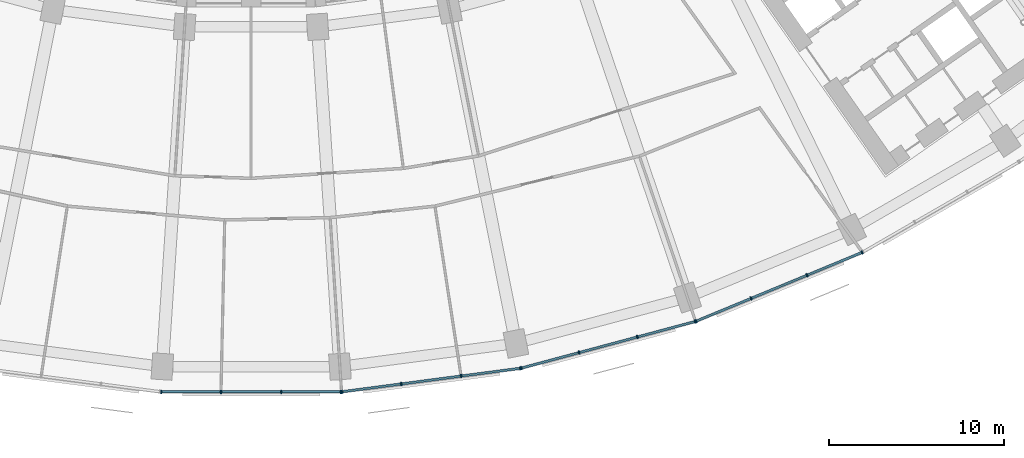
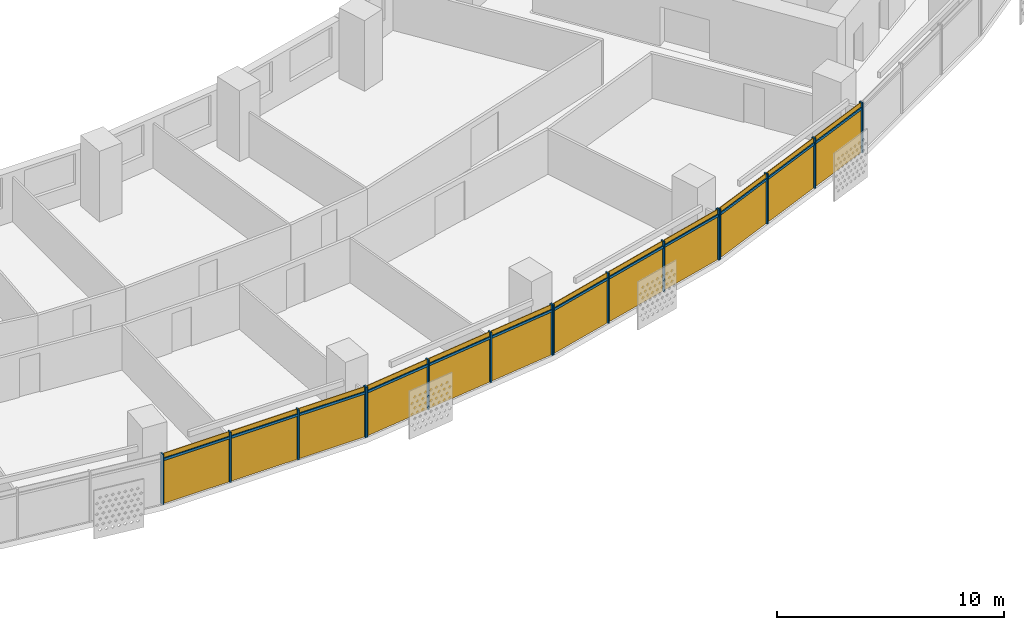
# One storey, part 21 of 29: 28 members, 4 curtain walls.
"""IFC4 building model written with IfcOpenShell, lengths in metres."""

from ifc_helpers import new_model, si_unit, direction, frame, origin, origin_2d, place, context, subcontext, project, spatial, rectangle, extrude, material, material_profile, profile_set, type_object, element, aggregate, save


model = new_model("IFC4")

# Units and contexts
model_context = context("Model", 3, precision=1e-05, world=origin(), true_north=direction((0.0, 1.0)))
body_context = subcontext(model_context, "Body", "Model", "MODEL_VIEW")
ifc_project = project(units=[si_unit("LENGTHUNIT", "METRE"), si_unit("AREAUNIT", "SQUARE_METRE"), si_unit("VOLUMEUNIT", "CUBIC_METRE"), si_unit("PLANEANGLEUNIT", "RADIAN"), si_unit("MASSUNIT", "GRAM", prefix="KILO")], contexts=[model_context])

# Member
ifc_material = material(Name="Aluminium 6063-T6 anodised", Category="aluminium")
ifc_material_profile_1 = material_profile(ifc_material, rectangle(XDim=0.199951171875, YDim=0.070068359375, at=origin_2d()))
ifc_profile_set_1 = profile_set([ifc_material_profile_1], Name="Aluminium 6063-T6 anodised")
member_type_1 = type_object("IfcMemberType", Name="Mullion 70 x 200 aluminium", PredefinedType="MULLION", material=ifc_profile_set_1)
site_placement = place(None, origin())
building_placement = place(site_placement, origin())
storey_placement = place(building_placement, frame((0.0, 0.0, 113.89990234375)))
member_1_placement = place(storey_placement, frame((-5.1513671875, -79.0302734375, 0.0), z_axis=(0.0, 0.0, 1.0), x_axis=(0.0, 1.0, 0.0)))
member_1 = element("IfcMember", 1, at=member_1_placement, type_object=member_type_1, Name="e-cw1-L25-out09/M00", PredefinedType="MULLION", context=body_context, shape_type="SweptSolid", body=[
    extrude(rectangle(XDim=0.199951171875, YDim=0.070068359375, at=origin_2d()), origin(), (0.0, 0.0, 1.0), 2.7001953125),
])

member_2_placement = place(storey_placement, frame((-1.728759765625, -79.0302734375, 0.0), z_axis=(0.0, 0.0, 1.0), x_axis=(0.0, 1.0, 0.0)))
member_2 = element("IfcMember", 2, at=member_2_placement, type_object=member_type_1, Name="e-cw1-L25-out09/M01", PredefinedType="MULLION", context=body_context, shape_type="SweptSolid", body=[
    extrude(rectangle(XDim=0.199951171875, YDim=0.070068359375, at=origin_2d()), origin(), (0.0, 0.0, 1.0), 2.7001953125),
])

member_3_placement = place(storey_placement, frame((1.728759765625, -79.0302734375, 0.0), z_axis=(0.0, 0.0, 1.0), x_axis=(0.0, 1.0, 0.0)))
member_3 = element("IfcMember", 3, at=member_3_placement, type_object=member_type_1, Name="e-cw1-L25-out09/M02", PredefinedType="MULLION", context=body_context, shape_type="SweptSolid", body=[
    extrude(rectangle(XDim=0.199951171875, YDim=0.070068359375, at=origin_2d()), origin(), (0.0, 0.0, 1.0), 2.7001953125),
])

member_4_placement = place(storey_placement, frame((5.1513671875, -79.0302734375, 0.0), z_axis=(0.0, 0.0, 1.0), x_axis=(0.0, 1.0, 0.0)))
member_4 = element("IfcMember", 4, at=member_4_placement, type_object=member_type_1, Name="e-cw1-L25-out09/M03", PredefinedType="MULLION", context=body_context, shape_type="SweptSolid", body=[
    extrude(rectangle(XDim=0.199951171875, YDim=0.070068359375, at=origin_2d()), origin(), (0.0, 0.0, 1.0), 2.7001953125),
])

member_5_placement = place(storey_placement, frame((5.2080078125, -79.026611328125, 0.0), z_axis=(0.0, 0.0, 1.0), x_axis=(-0.13052619222, 0.991444861374, 0.0)))
member_5 = element("IfcMember", 5, at=member_5_placement, type_object=member_type_1, Name="e-cw1-L25-out10/M00", PredefinedType="MULLION", context=body_context, shape_type="SweptSolid", body=[
    extrude(rectangle(XDim=0.199951171875, YDim=0.070068359375, at=origin_2d()), origin(), (0.0, 0.0, 1.0), 2.7001953125),
])

member_6_placement = place(storey_placement, frame((8.6015625, -78.579833984375, 0.0), z_axis=(0.0, 0.0, 1.0), x_axis=(-0.13052619222, 0.991444861374, 0.0)))
member_6 = element("IfcMember", 6, at=member_6_placement, type_object=member_type_1, Name="e-cw1-L25-out10/M01", PredefinedType="MULLION", context=body_context, shape_type="SweptSolid", body=[
    extrude(rectangle(XDim=0.199951171875, YDim=0.070068359375, at=origin_2d()), origin(), (0.0, 0.0, 1.0), 2.7001953125),
])

member_7_placement = place(storey_placement, frame((12.029541015625, -78.12841796875, 0.0), z_axis=(0.0, 0.0, 1.0), x_axis=(-0.13052619222, 0.991444861374, 0.0)))
member_7 = element("IfcMember", 7, at=member_7_placement, type_object=member_type_1, Name="e-cw1-L25-out10/M02", PredefinedType="MULLION", context=body_context, shape_type="SweptSolid", body=[
    extrude(rectangle(XDim=0.199951171875, YDim=0.070068359375, at=origin_2d()), origin(), (0.0, 0.0, 1.0), 2.7001953125),
])

member_8_placement = place(storey_placement, frame((15.4228515625, -77.681640625, 0.0), z_axis=(0.0, 0.0, 1.0), x_axis=(-0.13052619222, 0.991444861374, 0.0)))
member_8 = element("IfcMember", 8, at=member_8_placement, type_object=member_type_1, Name="e-cw1-L25-out10/M03", PredefinedType="MULLION", context=body_context, shape_type="SweptSolid", body=[
    extrude(rectangle(XDim=0.199951171875, YDim=0.070068359375, at=origin_2d()), origin(), (0.0, 0.0, 1.0), 2.7001953125),
])

member_9_placement = place(storey_placement, frame((15.478515625, -77.670654296875, 0.0), z_axis=(0.0, 0.0, 1.0), x_axis=(-0.258819045103, 0.965925826289, 0.0)))
member_9 = element("IfcMember", 9, at=member_9_placement, type_object=member_type_1, Name="e-cw1-L25-out11/M00", PredefinedType="MULLION", context=body_context, shape_type="SweptSolid", body=[
    extrude(rectangle(XDim=0.199951171875, YDim=0.070068359375, at=origin_2d()), origin(), (0.0, 0.0, 1.0), 2.7001953125),
])

member_10_placement = place(storey_placement, frame((18.78466796875, -76.78466796875, 0.0), z_axis=(0.0, 0.0, 1.0), x_axis=(-0.258819045103, 0.965925826289, 0.0)))
member_10 = element("IfcMember", 10, at=member_10_placement, type_object=member_type_1, Name="e-cw1-L25-out11/M01", PredefinedType="MULLION", context=body_context, shape_type="SweptSolid", body=[
    extrude(rectangle(XDim=0.199951171875, YDim=0.070068359375, at=origin_2d()), origin(), (0.0, 0.0, 1.0), 2.7001953125),
])

member_11_placement = place(storey_placement, frame((22.12451171875, -75.889892578125, 0.0), z_axis=(0.0, 0.0, 1.0), x_axis=(-0.258819045103, 0.965925826289, 0.0)))
member_11 = element("IfcMember", 11, at=member_11_placement, type_object=member_type_1, Name="e-cw1-L25-out11/M02", PredefinedType="MULLION", context=body_context, shape_type="SweptSolid", body=[
    extrude(rectangle(XDim=0.199951171875, YDim=0.070068359375, at=origin_2d()), origin(), (0.0, 0.0, 1.0), 2.7001953125),
])

member_12_placement = place(storey_placement, frame((25.430419921875, -75.00390625, 0.0), z_axis=(0.0, 0.0, 1.0), x_axis=(-0.258819045103, 0.965925826289, 0.0)))
member_12 = element("IfcMember", 12, at=member_12_placement, type_object=member_type_1, Name="e-cw1-L25-out11/M03", PredefinedType="MULLION", context=body_context, shape_type="SweptSolid", body=[
    extrude(rectangle(XDim=0.199951171875, YDim=0.070068359375, at=origin_2d()), origin(), (0.0, 0.0, 1.0), 2.7001953125),
])

member_13_placement = place(storey_placement, frame((25.484130859375, -74.98583984375, 0.0), z_axis=(0.0, 0.0, 1.0), x_axis=(-0.382683432365, 0.923879532511, 0.0)))
member_13 = element("IfcMember", 13, at=member_13_placement, type_object=member_type_1, Name="e-cw1-L25-out12/M00", PredefinedType="MULLION", context=body_context, shape_type="SweptSolid", body=[
    extrude(rectangle(XDim=0.199951171875, YDim=0.070068359375, at=origin_2d()), origin(), (0.0, 0.0, 1.0), 2.7001953125),
])

member_14_placement = place(storey_placement, frame((28.646240234375, -73.676025390625, 0.0), z_axis=(0.0, 0.0, 1.0), x_axis=(-0.382683432365, 0.923879532511, 0.0)))
member_14 = element("IfcMember", 14, at=member_14_placement, type_object=member_type_1, Name="e-cw1-L25-out12/M01", PredefinedType="MULLION", context=body_context, shape_type="SweptSolid", body=[
    extrude(rectangle(XDim=0.199951171875, YDim=0.070068359375, at=origin_2d()), origin(), (0.0, 0.0, 1.0), 2.7001953125),
])

member_15_placement = place(storey_placement, frame((31.8408203125, -72.352783203125, 0.0), z_axis=(0.0, 0.0, 1.0), x_axis=(-0.382683432365, 0.923879532511, 0.0)))
member_15 = element("IfcMember", 15, at=member_15_placement, type_object=member_type_1, Name="e-cw1-L25-out12/M02", PredefinedType="MULLION", context=body_context, shape_type="SweptSolid", body=[
    extrude(rectangle(XDim=0.199951171875, YDim=0.070068359375, at=origin_2d()), origin(), (0.0, 0.0, 1.0), 2.7001953125),
])

member_16_placement = place(storey_placement, frame((35.0029296875, -71.04296875, 0.0), z_axis=(0.0, 0.0, 1.0), x_axis=(-0.382683432365, 0.923879532511, 0.0)))
member_16 = element("IfcMember", 16, at=member_16_placement, type_object=member_type_1, Name="e-cw1-L25-out12/M03", PredefinedType="MULLION", context=body_context, shape_type="SweptSolid", body=[
    extrude(rectangle(XDim=0.199951171875, YDim=0.070068359375, at=origin_2d()), origin(), (0.0, 0.0, 1.0), 2.7001953125),
])

ifc_material_profile_2 = material_profile(ifc_material, rectangle(XDim=0.139892578125, YDim=0.1201171875, at=origin_2d()))
ifc_profile_set_2 = profile_set([ifc_material_profile_2], Name="Aluminium 6063-T6 anodised")
member_type_2 = type_object("IfcMemberType", Name="Transom 120 x 140 aluminium", PredefinedType="USERDEFINED", material=ifc_profile_set_2)
member_17_placement = place(storey_placement, frame((-5.116455078125, -79.0302734375, 2.400146484375), z_axis=(1.0, 0.0, 0.0), x_axis=(0.0, 1.0, 0.0)))
member_17 = element("IfcMember", 17, at=member_17_placement, type_object=member_type_2, Name="e-cw1-L25-out09/T00", ObjectType="TRANSOM", PredefinedType="USERDEFINED", context=body_context, shape_type="SweptSolid", body=[
    extrude(rectangle(XDim=0.139892578125, YDim=0.1201171875, at=origin_2d()), origin(), (0.0, 0.0, 1.0), 3.3525390625),
])

member_18_placement = place(storey_placement, frame((-1.69384765625, -79.0302734375, 2.400146484375), z_axis=(1.0, 0.0, 0.0), x_axis=(0.0, 1.0, 0.0)))
member_18 = element("IfcMember", 18, at=member_18_placement, type_object=member_type_2, Name="e-cw1-L25-out09/T01", ObjectType="TRANSOM", PredefinedType="USERDEFINED", context=body_context, shape_type="SweptSolid", body=[
    extrude(rectangle(XDim=0.139892578125, YDim=0.1201171875, at=origin_2d()), origin(), (0.0, 0.0, 1.0), 3.3876953125),
])

member_19_placement = place(storey_placement, frame((1.763916015625, -79.0302734375, 2.400146484375), z_axis=(1.0, 0.0, 0.0), x_axis=(0.0, 1.0, 0.0)))
member_19 = element("IfcMember", 19, at=member_19_placement, type_object=member_type_2, Name="e-cw1-L25-out09/T02", ObjectType="TRANSOM", PredefinedType="USERDEFINED", context=body_context, shape_type="SweptSolid", body=[
    extrude(rectangle(XDim=0.139892578125, YDim=0.1201171875, at=origin_2d()), origin(), (0.0, 0.0, 1.0), 3.3525390625),
])

member_20_placement = place(storey_placement, frame((5.242919921875, -79.02197265625, 2.400146484375), z_axis=(0.991439665896, 0.130565649721, 0.0), x_axis=(-0.130565649721, 0.991439665896, 0.0)))
member_20 = element("IfcMember", 20, at=member_20_placement, type_object=member_type_2, Name="e-cw1-L25-out10/T00", ObjectType="TRANSOM", PredefinedType="USERDEFINED", context=body_context, shape_type="SweptSolid", body=[
    extrude(rectangle(XDim=0.139892578125, YDim=0.1201171875, at=origin_2d()), origin(), (0.0, 0.0, 1.0), 3.352783203125),
])

member_21_placement = place(storey_placement, frame((8.63623046875, -78.5751953125, 2.400146484375), z_axis=(0.991446198807, 0.130516033004, 0.0), x_axis=(-0.130516033004, 0.991446198807, 0.0)))
member_21 = element("IfcMember", 21, at=member_21_placement, type_object=member_type_2, Name="e-cw1-L25-out10/T01", ObjectType="TRANSOM", PredefinedType="USERDEFINED", context=body_context, shape_type="SweptSolid", body=[
    extrude(rectangle(XDim=0.139892578125, YDim=0.1201171875, at=origin_2d()), origin(), (0.0, 0.0, 1.0), 3.3876953125),
])

member_22_placement = place(storey_placement, frame((12.064208984375, -78.123779296875, 2.400146484375), z_axis=(0.991449089759, 0.130494070426, 0.0), x_axis=(-0.130494070426, 0.991449089759, 0.0)))
member_22 = element("IfcMember", 22, at=member_22_placement, type_object=member_type_2, Name="e-cw1-L25-out10/T02", ObjectType="TRANSOM", PredefinedType="USERDEFINED", context=body_context, shape_type="SweptSolid", body=[
    extrude(rectangle(XDim=0.139892578125, YDim=0.1201171875, at=origin_2d()), origin(), (0.0, 0.0, 1.0), 3.3525390625),
])

member_23_placement = place(storey_placement, frame((15.512451171875, -77.66162109375, 2.400146484375), z_axis=(0.965927247937, 0.258813739382, 0.0), x_axis=(-0.258813739382, 0.965927247937, 0.0)))
member_23 = element("IfcMember", 23, at=member_23_placement, type_object=member_type_2, Name="e-cw1-L25-out11/T00", ObjectType="TRANSOM", PredefinedType="USERDEFINED", context=body_context, shape_type="SweptSolid", body=[
    extrude(rectangle(XDim=0.139892578125, YDim=0.1201171875, at=origin_2d()), origin(), (0.0, 0.0, 1.0), 3.3525390625),
])

member_24_placement = place(storey_placement, frame((18.818359375, -76.775634765625, 2.400146484375), z_axis=(0.965931646033, 0.258797324547, 0.0), x_axis=(-0.258797324547, 0.965931646033, 0.0)))
member_24 = element("IfcMember", 24, at=member_24_placement, type_object=member_type_2, Name="e-cw1-L25-out11/T01", ObjectType="TRANSOM", PredefinedType="USERDEFINED", context=body_context, shape_type="SweptSolid", body=[
    extrude(rectangle(XDim=0.139892578125, YDim=0.1201171875, at=origin_2d()), origin(), (0.0, 0.0, 1.0), 3.3876953125),
])

member_25_placement = place(storey_placement, frame((22.158203125, -75.880859375, 2.400146484375), z_axis=(0.965932125453, 0.258795535157, 0.0), x_axis=(-0.258795535157, 0.965932125453, 0.0)))
member_25 = element("IfcMember", 25, at=member_25_placement, type_object=member_type_2, Name="e-cw1-L25-out11/T02", ObjectType="TRANSOM", PredefinedType="USERDEFINED", context=body_context, shape_type="SweptSolid", body=[
    extrude(rectangle(XDim=0.139892578125, YDim=0.1201171875, at=origin_2d()), origin(), (0.0, 0.0, 1.0), 3.352783203125),
])

member_26_placement = place(storey_placement, frame((25.5166015625, -74.972412109375, 2.400146484375), z_axis=(0.923882814237, 0.382675509483, 0.0), x_axis=(-0.382675509483, 0.923882814237, 0.0)))
member_26 = element("IfcMember", 26, at=member_26_placement, type_object=member_type_2, Name="e-cw1-L25-out12/T00", ObjectType="TRANSOM", PredefinedType="USERDEFINED", context=body_context, shape_type="SweptSolid", body=[
    extrude(rectangle(XDim=0.139892578125, YDim=0.1201171875, at=origin_2d()), origin(), (0.0, 0.0, 1.0), 3.3525390625),
])

member_27_placement = place(storey_placement, frame((28.6787109375, -73.66259765625, 2.400146484375), z_axis=(0.923874529423, 0.382695510666, 0.0), x_axis=(-0.382695510666, 0.923874529423, 0.0)))
member_27 = element("IfcMember", 27, at=member_27_placement, type_object=member_type_2, Name="e-cw1-L25-out12/T01", ObjectType="TRANSOM", PredefinedType="USERDEFINED", context=body_context, shape_type="SweptSolid", body=[
    extrude(rectangle(XDim=0.139892578125, YDim=0.1201171875, at=origin_2d()), origin(), (0.0, 0.0, 1.0), 3.387451171875),
])

member_28_placement = place(storey_placement, frame((31.873046875, -72.33935546875, 2.400146484375), z_axis=(0.923882814237, 0.382675509483, 0.0), x_axis=(-0.382675509483, 0.923882814237, 0.0)))
member_28 = element("IfcMember", 28, at=member_28_placement, type_object=member_type_2, Name="e-cw1-L25-out12/T02", ObjectType="TRANSOM", PredefinedType="USERDEFINED", context=body_context, shape_type="SweptSolid", body=[
    extrude(rectangle(XDim=0.139892578125, YDim=0.1201171875, at=origin_2d()), origin(), (0.0, 0.0, 1.0), 3.3525390625),
])

# Site, building, storey
site = spatial("IfcSite", under=ifc_project, at=site_placement, CompositionType="ELEMENT")
building = spatial("IfcBuilding", under=site, at=building_placement, Name="Qamariyya Broadcast Tower", CompositionType="ELEMENT")
storey = spatial("IfcBuildingStorey", under=building, at=storey_placement, Name="L25", CompositionType="ELEMENT", Elevation=113.89990234375)

# Curtain wall
curtain_wall_type = type_object("IfcCurtainWallType", Name="Unitised curtain wall, anodised aluminium", PredefinedType="NOTDEFINED", material=ifc_material)
curtain_wall_1_placement = place(storey_placement, origin())
curtain_wall_1 = element("IfcCurtainWall", 29, at=curtain_wall_1_placement, inside=storey, type_object=curtain_wall_type, Name="e-cw1-L25-out09", PredefinedType="NOTDEFINED", context=body_context, shape_type="SweptSolid", body=[
    extrude(rectangle(XDim=3.352783203125, YDim=0.031982421875, at=origin_2d()), frame((-3.440185546875, -79.0302734375, 0.0), x_axis=(1.0, 0.0, 0.0)), (0.0, 0.0, 1.0), 2.340087890625),
    extrude(rectangle(XDim=3.352783203125, YDim=0.031982421875, at=origin_2d()), frame((-3.440185546875, -79.0302734375, 2.460205078125), x_axis=(1.0, 0.0, 0.0)), (0.0, 0.0, 1.0), 0.239990234375),
    extrude(rectangle(XDim=3.3876953125, YDim=0.031982421875, at=origin_2d()), frame((0.0, -79.0302734375, 0.0), x_axis=(1.0, 0.0, 0.0)), (0.0, 0.0, 1.0), 2.340087890625),
    extrude(rectangle(XDim=3.3876953125, YDim=0.031982421875, at=origin_2d()), frame((0.0, -79.0302734375, 2.460205078125), x_axis=(1.0, 0.0, 0.0)), (0.0, 0.0, 1.0), 0.239990234375),
    extrude(rectangle(XDim=3.352783203125, YDim=0.031982421875, at=origin_2d()), frame((3.440185546875, -79.0302734375, 0.0), x_axis=(1.0, 0.0, 0.0)), (0.0, 0.0, 1.0), 2.340087890625),
    extrude(rectangle(XDim=3.352783203125, YDim=0.031982421875, at=origin_2d()), frame((3.440185546875, -79.0302734375, 2.460205078125), x_axis=(1.0, 0.0, 0.0)), (0.0, 0.0, 1.0), 0.239990234375),
])

aggregate(curtain_wall_1, [member_1, member_2, member_3, member_4, member_17, member_18, member_19])

curtain_wall_2_placement = place(storey_placement, origin())
curtain_wall_2 = element("IfcCurtainWall", 30, at=curtain_wall_2_placement, inside=storey, type_object=curtain_wall_type, Name="e-cw1-L25-out10", PredefinedType="NOTDEFINED", context=body_context, shape_type="SweptSolid", body=[
    extrude(rectangle(XDim=3.3525390625, YDim=0.031982421875, at=origin_2d()), frame((6.90478515625, -78.802978515625, 0.0), x_axis=(0.991447084105, 0.13050930779, 0.0)), (0.0, 0.0, 1.0), 2.340087890625),
    extrude(rectangle(XDim=3.3525390625, YDim=0.031982421875, at=origin_2d()), frame((6.90478515625, -78.802978515625, 2.460205078125), x_axis=(0.991447084105, 0.13050930779, 0.0)), (0.0, 0.0, 1.0), 0.239990234375),
    extrude(rectangle(XDim=3.3876953125, YDim=0.031982421875, at=origin_2d()), frame((10.3154296875, -78.35400390625, 0.0), x_axis=(0.991447084105, 0.13050930779, 0.0)), (0.0, 0.0, 1.0), 2.340087890625),
    extrude(rectangle(XDim=3.3876953125, YDim=0.031982421875, at=origin_2d()), frame((10.3154296875, -78.35400390625, 2.460205078125), x_axis=(0.991447084105, 0.13050930779, 0.0)), (0.0, 0.0, 1.0), 0.239990234375),
    extrude(rectangle(XDim=3.3525390625, YDim=0.031982421875, at=origin_2d()), frame((13.72607421875, -77.9052734375, 0.0), x_axis=(0.991447084105, 0.13050930779, 0.0)), (0.0, 0.0, 1.0), 2.340087890625),
    extrude(rectangle(XDim=3.3525390625, YDim=0.031982421875, at=origin_2d()), frame((13.72607421875, -77.9052734375, 2.460205078125), x_axis=(0.991447084105, 0.13050930779, 0.0)), (0.0, 0.0, 1.0), 0.239990234375),
])

aggregate(curtain_wall_2, [member_5, member_6, member_7, member_8, member_20, member_21, member_22])

curtain_wall_3_placement = place(storey_placement, origin())
curtain_wall_3 = element("IfcCurtainWall", 31, at=curtain_wall_3_placement, inside=storey, type_object=curtain_wall_type, Name="e-cw1-L25-out11", PredefinedType="NOTDEFINED", context=body_context, shape_type="SweptSolid", body=[
    extrude(rectangle(XDim=3.352783203125, YDim=0.031982421875, at=origin_2d()), frame((17.131591796875, -77.227783203125, 0.0), x_axis=(0.965923677743, 0.258827063454, 0.0)), (0.0, 0.0, 1.0), 2.340087890625),
    extrude(rectangle(XDim=3.352783203125, YDim=0.031982421875, at=origin_2d()), frame((17.131591796875, -77.227783203125, 2.460205078125), x_axis=(0.965923677743, 0.258827063454, 0.0)), (0.0, 0.0, 1.0), 0.239990234375),
    extrude(rectangle(XDim=3.3876953125, YDim=0.031982421875, at=origin_2d()), frame((20.45458984375, -76.33740234375, 0.0), x_axis=(0.965923677743, 0.258827063454, 0.0)), (0.0, 0.0, 1.0), 2.340087890625),
    extrude(rectangle(XDim=3.3876953125, YDim=0.031982421875, at=origin_2d()), frame((20.45458984375, -76.33740234375, 2.460205078125), x_axis=(0.965923677743, 0.258827063454, 0.0)), (0.0, 0.0, 1.0), 0.239990234375),
    extrude(rectangle(XDim=3.352783203125, YDim=0.031982421875, at=origin_2d()), frame((23.777587890625, -75.44677734375, 0.0), x_axis=(0.965923677743, 0.258827063454, 0.0)), (0.0, 0.0, 1.0), 2.340087890625),
    extrude(rectangle(XDim=3.352783203125, YDim=0.031982421875, at=origin_2d()), frame((23.777587890625, -75.44677734375, 2.460205078125), x_axis=(0.965923677743, 0.258827063454, 0.0)), (0.0, 0.0, 1.0), 0.239990234375),
])

aggregate(curtain_wall_3, [member_9, member_10, member_11, member_12, member_23, member_24, member_25])

curtain_wall_4_placement = place(storey_placement, origin())
curtain_wall_4 = element("IfcCurtainWall", 32, at=curtain_wall_4_placement, inside=storey, type_object=curtain_wall_type, Name="e-cw1-L25-out12", PredefinedType="NOTDEFINED", context=body_context, shape_type="SweptSolid", body=[
    extrude(rectangle(XDim=3.3525390625, YDim=0.031982421875, at=origin_2d()), frame((27.065185546875, -74.3310546875, 0.0), x_axis=(0.923872250857, 0.382701011361, 0.0)), (0.0, 0.0, 1.0), 2.340087890625),
    extrude(rectangle(XDim=3.3525390625, YDim=0.031982421875, at=origin_2d()), frame((27.065185546875, -74.3310546875, 2.460205078125), x_axis=(0.923872250857, 0.382701011361, 0.0)), (0.0, 0.0, 1.0), 0.239990234375),
    extrude(rectangle(XDim=3.3876953125, YDim=0.031982421875, at=origin_2d()), frame((30.24365234375, -73.014404296875, 0.0), x_axis=(0.923872250857, 0.382701011361, 0.0)), (0.0, 0.0, 1.0), 2.340087890625),
    extrude(rectangle(XDim=3.3876953125, YDim=0.031982421875, at=origin_2d()), frame((30.24365234375, -73.014404296875, 2.460205078125), x_axis=(0.923872250857, 0.382701011361, 0.0)), (0.0, 0.0, 1.0), 0.239990234375),
    extrude(rectangle(XDim=3.3525390625, YDim=0.031982421875, at=origin_2d()), frame((33.421875, -71.69775390625, 0.0), x_axis=(0.923872250857, 0.382701011361, 0.0)), (0.0, 0.0, 1.0), 2.340087890625),
    extrude(rectangle(XDim=3.3525390625, YDim=0.031982421875, at=origin_2d()), frame((33.421875, -71.69775390625, 2.460205078125), x_axis=(0.923872250857, 0.382701011361, 0.0)), (0.0, 0.0, 1.0), 0.239990234375),
])

aggregate(curtain_wall_4, [member_13, member_14, member_15, member_16, member_26, member_27, member_28])

save(model, "model.ifc")
